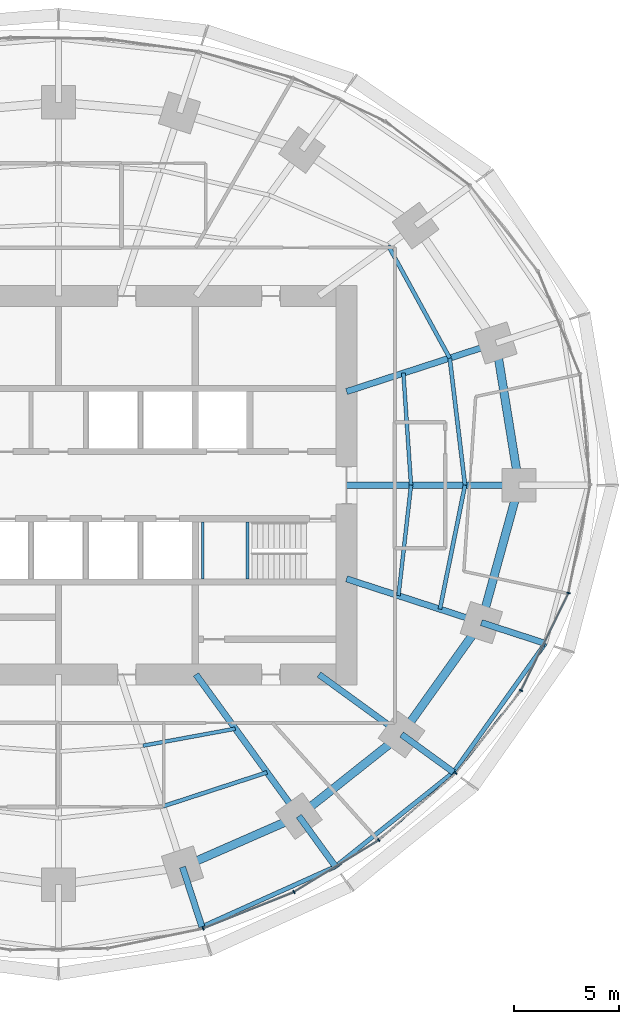
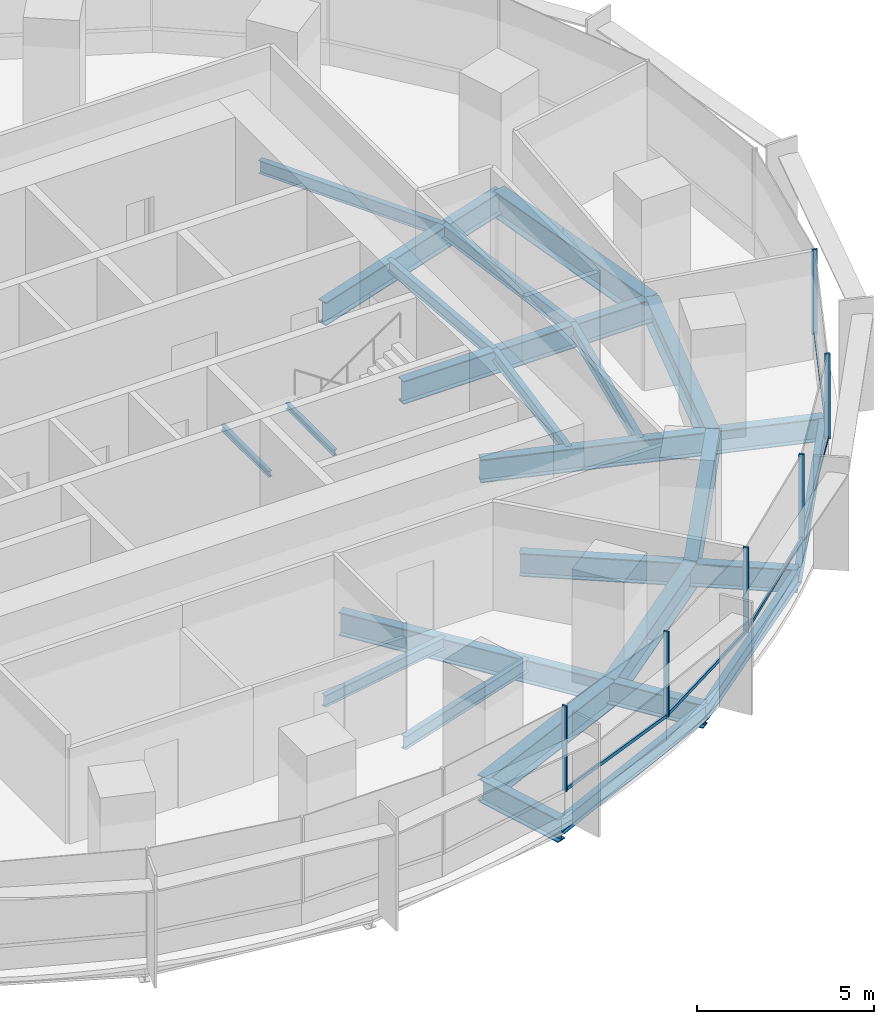
# One storey, part 5 of 14: 26 beams, 11 members, 2 elements without a shape of their own.
"""IFC4 building model written with IfcOpenShell, lengths in metres."""

from ifc_helpers import new_model, si_unit, direction, frame, origin, origin_2d, place, context, subcontext, project, spatial, rectangle, i_section, extrude, material, material_profile, profile_set, type_object, element, aggregate, save


model = new_model("IFC4")

# Units and contexts
model_context = context("Model", 3, precision=1e-05, world=origin(), true_north=direction((0.0, 1.0)))
body_context = subcontext(model_context, "Body", "Model", "MODEL_VIEW")
ifc_project = project(units=[si_unit("LENGTHUNIT", "METRE"), si_unit("AREAUNIT", "SQUARE_METRE"), si_unit("VOLUMEUNIT", "CUBIC_METRE"), si_unit("PLANEANGLEUNIT", "RADIAN"), si_unit("MASSUNIT", "GRAM", prefix="KILO")], contexts=[model_context])

# Site, building, storey
site_placement = place(None, origin())
site = spatial("IfcSite", under=ifc_project, at=site_placement, CompositionType="ELEMENT")
building_placement = place(site_placement, origin())
building = spatial("IfcBuilding", under=site, at=building_placement, Name="Marramba Exchange Tower", CompositionType="ELEMENT")
storey_placement = place(building_placement, frame((0.0, 0.0, 119.699951171875)))
storey = spatial("IfcBuildingStorey", under=building, at=storey_placement, Name="L28", CompositionType="ELEMENT", Elevation=119.699951171875)

# Beams
ifc_material_1 = material(Name="Steel AS/NZS 3679.2 grade 300", Category="steel")
ifc_material_profile_1 = material_profile(ifc_material_1, i_section(OverallWidth=0.300048828125, OverallDepth=0.800048828125, WebThickness=0.013916015625, FlangeThickness=0.031982421875, at=origin_2d()), Name="800WB192")
ifc_profile_set_1 = profile_set([ifc_material_profile_1], Name="Steel AS/NZS 3679.2 grade 300")
beam_type_1 = type_object("IfcBeamType", Name="Cantilever girder 800WB192", PredefinedType="BEAM", material=ifc_profile_set_1)
beam_1_placement = place(storey_placement, frame((5.899658203125, -18.156982421875, -0.56005859375), z_axis=(0.30903246226, -0.951051490336, 0.0), x_axis=(0.951051490336, 0.30903246226, 0.0)))
element("IfcBeam", 1, at=beam_1_placement, inside=storey, type_object=beam_type_1, Name="Cantilever girder L28 TC17", PredefinedType="BEAM", context=body_context, shape_type="SweptSolid", body=[
    extrude(i_section(OverallWidth=0.300048828125, OverallDepth=0.800048828125, WebThickness=0.013916015625, FlangeThickness=0.031982421875, at=origin_2d()), origin(), (0.0, 0.0, 1.0), 2.986328125),
])
beam_2_placement = place(storey_placement, frame((11.430419921875, -15.732666015625, -0.56005859375), z_axis=(0.587794986183, -0.8090099222, 0.0), x_axis=(0.8090099222, 0.587794986183, 0.0)))
element("IfcBeam", 2, at=beam_2_placement, inside=storey, type_object=beam_type_1, Name="Cantilever girder L28 TC18", PredefinedType="BEAM", context=body_context, shape_type="SweptSolid", body=[
    extrude(i_section(OverallWidth=0.300048828125, OverallDepth=0.800048828125, WebThickness=0.013916015625, FlangeThickness=0.031982421875, at=origin_2d()), origin(), (0.0, 0.0, 1.0), 2.9677734375),
])
beam_3_placement = place(storey_placement, frame((16.3154296875, -11.853759765625, -0.56005859375), z_axis=(0.809026231081, -0.587772538847, 0.0), x_axis=(0.587772538847, 0.809026231081, 0.0)))
element("IfcBeam", 3, at=beam_3_placement, inside=storey, type_object=beam_type_1, Name="Cantilever girder L28 TC19", PredefinedType="BEAM", context=body_context, shape_type="SweptSolid", body=[
    extrude(i_section(OverallWidth=0.300048828125, OverallDepth=0.800048828125, WebThickness=0.013916015625, FlangeThickness=0.031982421875, at=origin_2d()), origin(), (0.0, 0.0, 1.0), 3.055419921875),
])
beam_4_placement = place(storey_placement, frame((20.109375, -6.533935546875, -0.56005859375), z_axis=(0.951054839063, -0.309022156318, 0.0), x_axis=(0.309022156318, 0.951054839063, 0.0)))
element("IfcBeam", 4, at=beam_4_placement, inside=storey, type_object=beam_type_1, Name="Cantilever girder L28 TC20", PredefinedType="BEAM", context=body_context, shape_type="SweptSolid", body=[
    extrude(i_section(OverallWidth=0.300048828125, OverallDepth=0.800048828125, WebThickness=0.013916015625, FlangeThickness=0.031982421875, at=origin_2d()), origin(), (0.0, 0.0, 1.0), 3.19580078125),
])
ifc_material_2 = material(Name="Steel AS/NZS 3679.1 grade 300", Category="steel")
ifc_material_profile_2 = material_profile(ifc_material_2, i_section(OverallWidth=0.177978515625, OverallDepth=0.406005859375, WebThickness=0.0078125, FlangeThickness=0.0126953125, FilletRadius=0.011474609375, at=origin_2d()), Name="410UB59.7")
ifc_profile_set_2 = profile_set([ifc_material_profile_2], Name="Steel AS/NZS 3679.1 grade 300")
beam_type_2 = type_object("IfcBeamType", Name="Floor joist 410UB59.7", PredefinedType="JOIST", material=ifc_profile_set_2)
beam_5_placement = place(storey_placement, frame((16.7666015625, 0.0, -0.363037109375), z_axis=(-0.068096259546, 0.99767875563, 0.0), x_axis=(-0.99767875563, -0.068096259546, 0.0)))
element("IfcBeam", 5, at=beam_5_placement, inside=storey, type_object=beam_type_2, Name="Joist L28 bay 01 row 1", PredefinedType="JOIST", context=body_context, shape_type="SweptSolid", body=[
    extrude(i_section(OverallWidth=0.177978515625, OverallDepth=0.406005859375, WebThickness=0.0078125, FlangeThickness=0.0126953125, FilletRadius=0.011474609375, at=origin_2d()), origin(), (0.0, 0.0, 1.0), 5.342041015625),
])
beam_6_placement = place(storey_placement, frame((4.0244140625, -12.3857421875, -0.363037109375), z_axis=(0.983455754421, 0.181148500119, 0.0), x_axis=(-0.181148500119, 0.983455754421, 0.0)))
element("IfcBeam", 6, at=beam_6_placement, inside=storey, type_object=beam_type_2, Name="Joist L28 bay 17 row 1", PredefinedType="JOIST", context=body_context, shape_type="SweptSolid", body=[
    extrude(i_section(OverallWidth=0.177978515625, OverallDepth=0.406005859375, WebThickness=0.0078125, FlangeThickness=0.0126953125, FilletRadius=0.011474609375, at=origin_2d()), origin(), (0.0, 0.0, 1.0), 4.4609375),
])
beam_7_placement = place(storey_placement, frame((16.169677734375, -5.25390625, -0.363037109375), z_axis=(0.112888968594, 0.993607609054, 0.0), x_axis=(-0.993607609054, 0.112888968594, 0.0)))
element("IfcBeam", 7, at=beam_7_placement, inside=storey, type_object=beam_type_2, Name="Joist L28 bay 20 row 1", PredefinedType="JOIST", context=body_context, shape_type="SweptSolid", body=[
    extrude(i_section(OverallWidth=0.177978515625, OverallDepth=0.406005859375, WebThickness=0.0078125, FlangeThickness=0.0126953125, FilletRadius=0.011474609375, at=origin_2d()), origin(), (0.0, 0.0, 1.0), 5.28759765625),
])
ifc_material_profile_3 = material_profile(ifc_material_2, i_section(OverallWidth=0.18994140625, OverallDepth=0.4541015625, WebThickness=0.008544921875, FlangeThickness=0.0126953125, FilletRadius=0.011474609375, at=origin_2d()), Name="460UB67.1")
ifc_profile_set_3 = profile_set([ifc_material_profile_3], Name="Steel AS/NZS 3679.1 grade 300")
beam_type_3 = type_object("IfcBeamType", Name="Floor joist 460UB67.1", PredefinedType="JOIST", material=ifc_profile_set_3)
beam_8_placement = place(storey_placement, frame((19.333251953125, 0.0, -0.386962890625), z_axis=(-0.119523078538, 0.992831422597, 0.0), x_axis=(-0.992831422597, -0.119523078538, 0.0)))
element("IfcBeam", 8, at=beam_8_placement, inside=storey, type_object=beam_type_3, Name="Joist L28 bay 01 row 2", PredefinedType="JOIST", context=body_context, shape_type="SweptSolid", body=[
    extrude(i_section(OverallWidth=0.18994140625, OverallDepth=0.4541015625, WebThickness=0.008544921875, FlangeThickness=0.0126953125, FilletRadius=0.011474609375, at=origin_2d()), origin(), (0.0, 0.0, 1.0), 6.089111328125),
])
beam_9_placement = place(storey_placement, frame((18.60546875, 6.04541015625, -0.386962890625), z_axis=(-0.479584443791, 0.877495732909, 0.0), x_axis=(-0.877495732909, -0.479584443791, 0.0)))
element("IfcBeam", 9, at=beam_9_placement, inside=storey, type_object=beam_type_3, Name="Joist L28 bay 02 row 2", PredefinedType="JOIST", context=body_context, shape_type="SweptSolid", body=[
    extrude(i_section(OverallWidth=0.18994140625, OverallDepth=0.4541015625, WebThickness=0.008544921875, FlangeThickness=0.0126953125, FilletRadius=0.011474609375, at=origin_2d()), origin(), (0.0, 0.0, 1.0), 6.094970703125),
])
beam_10_placement = place(storey_placement, frame((4.9619140625, -15.271484375, -0.386962890625), z_axis=(0.950764024931, 0.309915744834, 0.0), x_axis=(-0.309915744834, 0.950764024931, 0.0)))
element("IfcBeam", 10, at=beam_10_placement, inside=storey, type_object=beam_type_3, Name="Joist L28 bay 17 row 2", PredefinedType="JOIST", context=body_context, shape_type="SweptSolid", body=[
    extrude(i_section(OverallWidth=0.18994140625, OverallDepth=0.4541015625, WebThickness=0.008544921875, FlangeThickness=0.0126953125, FilletRadius=0.011474609375, at=origin_2d()), origin(), (0.0, 0.0, 1.0), 5.2158203125),
])
beam_11_placement = place(storey_placement, frame((18.1396484375, -5.893798828125, -0.386962890625), z_axis=(0.198489047047, 0.980103105904, 0.0), x_axis=(-0.980103105904, 0.198489047047, 0.0)))
element("IfcBeam", 11, at=beam_11_placement, inside=storey, type_object=beam_type_3, Name="Joist L28 bay 20 row 2", PredefinedType="JOIST", context=body_context, shape_type="SweptSolid", body=[
    extrude(i_section(OverallWidth=0.18994140625, OverallDepth=0.4541015625, WebThickness=0.008544921875, FlangeThickness=0.0126953125, FilletRadius=0.011474609375, at=origin_2d()), origin(), (0.0, 0.0, 1.0), 6.013427734375),
])

# Curtain wall, member
ifc_material_3 = material(Name="Aluminium framing, bronze anodised", Category="aluminium")
curtain_wall_type = type_object("IfcCurtainWallType", Name="Office ribbon curtain wall", PredefinedType="USERDEFINED", material=ifc_material_3)
curtain_wall_1_placement = place(storey_placement, origin())
curtain_wall_1 = element("IfcCurtainWall", 12, at=curtain_wall_1_placement, inside=storey, type_object=curtain_wall_type, Name="Curtain wall CW4 L28 F21-F25", ObjectType="RIBBON CURTAIN WALL", PredefinedType="USERDEFINED")
ifc_material_4 = material(Name="Aluminium mullion, bronze anodised", Category="aluminium")
ifc_material_profile_4 = material_profile(ifc_material_4, rectangle(XDim=0.159912109375, YDim=0.06005859375, at=origin_2d()), Name="CW4 mullion 60x160")
ifc_profile_set_4 = profile_set([ifc_material_profile_4], Name="Aluminium mullion, bronze anodised")
member_type_1 = type_object("IfcMemberType", Name="Office ribbon curtain wall mullion", PredefinedType="MULLION", material=ifc_profile_set_4)
member_1_placement = place(storey_placement, frame((6.881103515625, -21.0810546875, 0.800048828125), z_axis=(0.0, 0.0, 1.0), x_axis=(-0.372209067082, 0.928148916059, 0.0)))
member_1 = element("IfcMember", 13, at=member_1_placement, type_object=member_type_1, Name="CW4 mullion 1", PredefinedType="MULLION", context=body_context, shape_type="SweptSolid", body=[
    extrude(rectangle(XDim=0.159912109375, YDim=0.06005859375, at=origin_2d()), origin(), (0.0, 0.0, 1.0), 2.93994140625),
])

# Curtain wall, members
curtain_wall_2_placement = place(storey_placement, origin())
curtain_wall_2 = element("IfcCurtainWall", 14, at=curtain_wall_2_placement, inside=storey, type_object=curtain_wall_type, Name="Curtain wall CW4 L28 F26-F30", ObjectType="RIBBON CURTAIN WALL", PredefinedType="USERDEFINED")
member_2_placement = place(storey_placement, frame((11.2021484375, -19.3427734375, 0.800048828125), z_axis=(0.0, 0.0, 1.0), x_axis=(-0.521732535664, 0.853109114492, 0.0)))
member_2 = element("IfcMember", 15, at=member_2_placement, type_object=member_type_1, Name="CW4 mullion 1", PredefinedType="MULLION", context=body_context, shape_type="SweptSolid", body=[
    extrude(rectangle(XDim=0.159912109375, YDim=0.06005859375, at=origin_2d()), origin(), (0.0, 0.0, 1.0), 2.93994140625),
])
member_3_placement = place(storey_placement, frame((15.232177734375, -16.872314453125, 0.800048828125), z_axis=(0.0, 0.0, 1.0), x_axis=(-0.656431647438, 0.754385506384, 0.0)))
member_3 = element("IfcMember", 16, at=member_3_placement, type_object=member_type_1, Name="CW4 mullion 1", PredefinedType="MULLION", context=body_context, shape_type="SweptSolid", body=[
    extrude(rectangle(XDim=0.159912109375, YDim=0.06005859375, at=origin_2d()), origin(), (0.0, 0.0, 1.0), 2.93994140625),
])
member_4_placement = place(storey_placement, frame((18.886962890625, -13.68505859375, 0.800048828125), z_axis=(0.0, 0.0, 1.0), x_axis=(-0.783170139469, 0.621807472329, 0.0)))
member_4 = element("IfcMember", 17, at=member_4_placement, type_object=member_type_1, Name="CW4 mullion 1", PredefinedType="MULLION", context=body_context, shape_type="SweptSolid", body=[
    extrude(rectangle(XDim=0.159912109375, YDim=0.06005859375, at=origin_2d()), origin(), (0.0, 0.0, 1.0), 2.93994140625),
])
member_5_placement = place(storey_placement, frame((21.994873046875, -9.760009765625, 0.800048828125), z_axis=(0.0, 0.0, 1.0), x_axis=(-0.89844486976, 0.439086342308, 0.0)))
member_5 = element("IfcMember", 18, at=member_5_placement, type_object=member_type_1, Name="CW4 mullion 1", PredefinedType="MULLION", context=body_context, shape_type="SweptSolid", body=[
    extrude(rectangle(XDim=0.159912109375, YDim=0.06005859375, at=origin_2d()), origin(), (0.0, 0.0, 1.0), 2.93994140625),
])
member_6_placement = place(storey_placement, frame((24.252197265625, -5.124267578125, 0.800048828125), z_axis=(0.0, 0.0, 1.0), x_axis=(-0.980393739376, 0.197048511267, 0.0)))
member_6 = element("IfcMember", 19, at=member_6_placement, type_object=member_type_1, Name="CW4 mullion 1", PredefinedType="MULLION", context=body_context, shape_type="SweptSolid", body=[
    extrude(rectangle(XDim=0.159912109375, YDim=0.06005859375, at=origin_2d()), origin(), (0.0, 0.0, 1.0), 2.93994140625),
])

# Member
ifc_material_5 = material(Name="Aluminium transom, bronze anodised", Category="aluminium")
ifc_material_profile_5 = material_profile(ifc_material_5, rectangle(XDim=0.06005859375, YDim=0.1201171875, at=origin_2d()), Name="CW4 transom 60x120")
ifc_profile_set_5 = profile_set([ifc_material_profile_5], Name="Aluminium transom, bronze anodised")
member_type_2 = type_object("IfcMemberType", Name="Office ribbon curtain wall transom", PredefinedType="USERDEFINED", material=ifc_profile_set_5)
member_7_placement = place(storey_placement, frame((6.908935546875, -21.06982421875, 0.830078125), z_axis=(0.928146753748, 0.372214459026, 0.0), x_axis=(-0.372214459026, 0.928146753748, 0.0)))
member_7 = element("IfcMember", 20, at=member_7_placement, type_object=member_type_2, Name="CW4 sill transom", ObjectType="TRANSOM", PredefinedType="USERDEFINED", context=body_context, shape_type="SweptSolid", body=[
    extrude(rectangle(XDim=0.06005859375, YDim=0.1201171875, at=origin_2d()), origin(), (0.0, 0.0, 1.0), 4.597900390625),
])

aggregate(curtain_wall_1, [member_1, member_7])

member_8_placement = place(storey_placement, frame((11.227783203125, -19.3271484375, 0.830078125), z_axis=(0.853124051379, 0.52170811088, 0.0), x_axis=(-0.52170811088, 0.853124051379, 0.0)))
member_8 = element("IfcMember", 21, at=member_8_placement, type_object=member_type_2, Name="CW4 sill transom", ObjectType="TRANSOM", PredefinedType="USERDEFINED", context=body_context, shape_type="SweptSolid", body=[
    extrude(rectangle(XDim=0.06005859375, YDim=0.1201171875, at=origin_2d()), origin(), (0.0, 0.0, 1.0), 4.66748046875),
])

member_9_placement = place(storey_placement, frame((15.2548828125, -16.8525390625, 0.830078125), z_axis=(0.754392594189, 0.65642350189, 0.0), x_axis=(-0.65642350189, 0.754392594189, 0.0)))
member_9 = element("IfcMember", 22, at=member_9_placement, type_object=member_type_2, Name="CW4 sill transom", ObjectType="TRANSOM", PredefinedType="USERDEFINED", context=body_context, shape_type="SweptSolid", body=[
    extrude(rectangle(XDim=0.06005859375, YDim=0.1201171875, at=origin_2d()), origin(), (0.0, 0.0, 1.0), 4.78955078125),
])

member_10_placement = place(storey_placement, frame((18.905517578125, -13.66162109375, 0.830078125), z_axis=(0.621777997945, 0.783193540111, 0.0), x_axis=(-0.783193540111, 0.621777997945, 0.0)))
member_10 = element("IfcMember", 23, at=member_10_placement, type_object=member_type_2, Name="CW4 sill transom", ObjectType="TRANSOM", PredefinedType="USERDEFINED", context=body_context, shape_type="SweptSolid", body=[
    extrude(rectangle(XDim=0.06005859375, YDim=0.1201171875, at=origin_2d()), origin(), (0.0, 0.0, 1.0), 4.947265625),
])

member_11_placement = place(storey_placement, frame((22.008056640625, -9.73291015625, 0.830078125), z_axis=(0.439090714557, 0.898442732949, 0.0), x_axis=(-0.898442732949, 0.439090714557, 0.0)))
member_11 = element("IfcMember", 24, at=member_11_placement, type_object=member_type_2, Name="CW4 sill transom", ObjectType="TRANSOM", PredefinedType="USERDEFINED", context=body_context, shape_type="SweptSolid", body=[
    extrude(rectangle(XDim=0.06005859375, YDim=0.1201171875, at=origin_2d()), origin(), (0.0, 0.0, 1.0), 5.096923828125),
])

aggregate(curtain_wall_2, [member_2, member_8, member_3, member_9, member_4, member_10, member_5, member_11, member_6])

# Beams
ifc_material_profile_6 = material_profile(ifc_material_1, i_section(OverallWidth=0.300048828125, OverallDepth=0.800048828125, WebThickness=0.013916015625, FlangeThickness=0.031982421875, at=origin_2d()), Name="800WB192")
ifc_profile_set_6 = profile_set([ifc_material_profile_6], Name="Steel AS/NZS 3679.2 grade 300")
beam_type_4 = type_object("IfcBeamType", Name="Radial girder 800WB192", PredefinedType="BEAM", material=ifc_profile_set_6)
beam_12_placement = place(storey_placement, frame((13.699951171875, 0.0, -0.56005859375), z_axis=(1.0, 0.0, 0.0), x_axis=(0.0, 1.0, 0.0)))
element("IfcBeam", 25, at=beam_12_placement, inside=storey, type_object=beam_type_4, Name="Radial girder L28 TC01", PredefinedType="BEAM", context=body_context, shape_type="SweptSolid", body=[
    extrude(i_section(OverallWidth=0.300048828125, OverallDepth=0.800048828125, WebThickness=0.013916015625, FlangeThickness=0.031982421875, at=origin_2d()), origin(), (0.0, 0.0, 1.0), 8.199951171875),
])
beam_13_placement = place(storey_placement, frame((13.699951171875, 4.451416015625, -0.56005859375), z_axis=(0.951059990189, 0.309006302624, 0.0), x_axis=(-0.309006302624, 0.951059990189, 0.0)))
element("IfcBeam", 26, at=beam_13_placement, inside=storey, type_object=beam_type_4, Name="Radial girder L28 TC02", PredefinedType="BEAM", context=body_context, shape_type="SweptSolid", body=[
    extrude(i_section(OverallWidth=0.300048828125, OverallDepth=0.800048828125, WebThickness=0.013916015625, FlangeThickness=0.031982421875, at=origin_2d()), origin(), (0.0, 0.0, 1.0), 7.47412109375),
])
beam_14_placement = place(storey_placement, frame((6.538818359375, -9.0, -0.56005859375), z_axis=(0.587787877172, -0.809015087282, 0.0), x_axis=(0.809015087282, 0.587787877172, 0.0)))
element("IfcBeam", 27, at=beam_14_placement, inside=storey, type_object=beam_type_4, Name="Radial girder L28 TC18", PredefinedType="BEAM", context=body_context, shape_type="SweptSolid", body=[
    extrude(i_section(OverallWidth=0.300048828125, OverallDepth=0.800048828125, WebThickness=0.013916015625, FlangeThickness=0.031982421875, at=origin_2d()), origin(), (0.0, 0.0, 1.0), 8.322021484375),
])
beam_15_placement = place(storey_placement, frame((12.387451171875, -9.0, -0.56005859375), z_axis=(0.809025189606, -0.58777397236, 0.0), x_axis=(0.58777397236, 0.809025189606, 0.0)))
element("IfcBeam", 28, at=beam_15_placement, inside=storey, type_object=beam_type_4, Name="Radial girder L28 TC19", PredefinedType="BEAM", context=body_context, shape_type="SweptSolid", body=[
    extrude(i_section(OverallWidth=0.300048828125, OverallDepth=0.800048828125, WebThickness=0.013916015625, FlangeThickness=0.031982421875, at=origin_2d()), origin(), (0.0, 0.0, 1.0), 4.855224609375),
])
beam_16_placement = place(storey_placement, frame((13.699951171875, -4.451416015625, -0.56005859375), z_axis=(0.951057759669, -0.309013167637, 0.0), x_axis=(0.309013167637, 0.951057759669, 0.0)))
element("IfcBeam", 29, at=beam_16_placement, inside=storey, type_object=beam_type_4, Name="Radial girder L28 TC20", PredefinedType="BEAM", context=body_context, shape_type="SweptSolid", body=[
    extrude(i_section(OverallWidth=0.300048828125, OverallDepth=0.800048828125, WebThickness=0.013916015625, FlangeThickness=0.031982421875, at=origin_2d()), origin(), (0.0, 0.0, 1.0), 6.7392578125),
])
ifc_material_profile_7 = material_profile(ifc_material_1, i_section(OverallWidth=0.39990234375, OverallDepth=0.89990234375, WebThickness=0.01611328125, FlangeThickness=0.031982421875, at=origin_2d()), Name="900WB282")
ifc_profile_set_7 = profile_set([ifc_material_profile_7], Name="Steel AS/NZS 3679.2 grade 300")
beam_type_5 = type_object("IfcBeamType", Name="Ring beam 900WB282", PredefinedType="SPANDREL", material=ifc_profile_set_7)
beam_17_placement = place(storey_placement, frame((21.89990234375, 0.0, -0.60986328125), z_axis=(-0.159384865399, 0.987216523708, 0.0), x_axis=(-0.987216523708, -0.159384865399, 0.0)))
element("IfcBeam", 30, at=beam_17_placement, inside=storey, type_object=beam_type_5, Name="Ring beam L28 TC01-TC02", PredefinedType="SPANDREL", context=body_context, shape_type="SweptSolid", body=[
    extrude(i_section(OverallWidth=0.39990234375, OverallDepth=0.89990234375, WebThickness=0.01611328125, FlangeThickness=0.031982421875, at=origin_2d()), origin(), (0.0, 0.0, 1.0), 6.8486328125),
])
beam_18_placement = place(storey_placement, frame((5.899658203125, -18.156982421875, -0.60986328125), z_axis=(0.915876892158, 0.4014592363, 0.0), x_axis=(-0.4014592363, 0.915876892158, 0.0)))
element("IfcBeam", 31, at=beam_18_placement, inside=storey, type_object=beam_type_5, Name="Ring beam L28 TC17-TC18", PredefinedType="SPANDREL", context=body_context, shape_type="SweptSolid", body=[
    extrude(i_section(OverallWidth=0.39990234375, OverallDepth=0.89990234375, WebThickness=0.01611328125, FlangeThickness=0.031982421875, at=origin_2d()), origin(), (0.0, 0.0, 1.0), 6.038818359375),
])
beam_19_placement = place(storey_placement, frame((11.430419921875, -15.732666015625, -0.60986328125), z_axis=(0.783139438128, 0.621846138887, 0.0), x_axis=(-0.621846138887, 0.783139438128, 0.0)))
element("IfcBeam", 32, at=beam_19_placement, inside=storey, type_object=beam_type_5, Name="Ring beam L28 TC18-TC19", PredefinedType="SPANDREL", context=body_context, shape_type="SweptSolid", body=[
    extrude(i_section(OverallWidth=0.39990234375, OverallDepth=0.89990234375, WebThickness=0.01611328125, FlangeThickness=0.031982421875, at=origin_2d()), origin(), (0.0, 0.0, 1.0), 6.23779296875),
])
beam_20_placement = place(storey_placement, frame((16.3154296875, -11.853759765625, -0.60986328125), z_axis=(0.580637181111, 0.814162430914, 0.0), x_axis=(-0.814162430914, 0.580637181111, 0.0)))
element("IfcBeam", 33, at=beam_20_placement, inside=storey, type_object=beam_type_5, Name="Ring beam L28 TC19-TC20", PredefinedType="SPANDREL", context=body_context, shape_type="SweptSolid", body=[
    extrude(i_section(OverallWidth=0.39990234375, OverallDepth=0.89990234375, WebThickness=0.01611328125, FlangeThickness=0.031982421875, at=origin_2d()), origin(), (0.0, 0.0, 1.0), 6.5341796875),
])
beam_21_placement = place(storey_placement, frame((20.109375, -6.533935546875, -0.60986328125), z_axis=(0.264291166956, 0.964442937176, 0.0), x_axis=(-0.964442937176, 0.264291166956, 0.0)))
element("IfcBeam", 34, at=beam_21_placement, inside=storey, type_object=beam_type_5, Name="Ring beam L28 TC20-TC01", PredefinedType="SPANDREL", context=body_context, shape_type="SweptSolid", body=[
    extrude(i_section(OverallWidth=0.39990234375, OverallDepth=0.89990234375, WebThickness=0.01611328125, FlangeThickness=0.031982421875, at=origin_2d()), origin(), (0.0, 0.0, 1.0), 6.77490234375),
])
ifc_material_profile_8 = material_profile(ifc_material_2, i_section(OverallWidth=0.208984375, OverallDepth=0.528076171875, WebThickness=0.009521484375, FlangeThickness=0.01318359375, FilletRadius=0.013916015625, at=origin_2d()), Name="530UB82.0")
ifc_profile_set_8 = profile_set([ifc_material_profile_8], Name="Steel AS/NZS 3679.1 grade 300")
beam_type_6 = type_object("IfcBeamType", Name="Slab edge beam 530UB82.0", PredefinedType="SPANDREL", material=ifc_profile_set_8)
beam_22_placement = place(storey_placement, frame((6.822509765625, -20.9970703125, -0.424072265625), z_axis=(0.911653171624, 0.410960453898, 0.0), x_axis=(-0.410960453898, 0.911653171624, 0.0)))
element("IfcBeam", 35, at=beam_22_placement, inside=storey, type_object=beam_type_6, Name="Slab edge beam L28 TC17-TC18", PredefinedType="SPANDREL", context=body_context, shape_type="SweptSolid", body=[
    extrude(i_section(OverallWidth=0.208984375, OverallDepth=0.528076171875, WebThickness=0.009521484375, FlangeThickness=0.01318359375, FilletRadius=0.013916015625, at=origin_2d()), origin(), (0.0, 0.0, 1.0), 6.9677734375),
])
beam_23_placement = place(storey_placement, frame((13.1748046875, -18.133544921875, -0.424072265625), z_axis=(0.781286404457, 0.624172695822, 0.0), x_axis=(-0.624172695822, 0.781286404457, 0.0)))
element("IfcBeam", 36, at=beam_23_placement, inside=storey, type_object=beam_type_6, Name="Slab edge beam L28 TC18-TC19", PredefinedType="SPANDREL", context=body_context, shape_type="SweptSolid", body=[
    extrude(i_section(OverallWidth=0.208984375, OverallDepth=0.528076171875, WebThickness=0.009521484375, FlangeThickness=0.01318359375, FilletRadius=0.013916015625, at=origin_2d()), origin(), (0.0, 0.0, 1.0), 7.183837890625),
])
beam_24_placement = place(storey_placement, frame((18.787353515625, -13.649658203125, -0.424072265625), z_axis=(0.579834168245, 0.814734519543, 0.0), x_axis=(-0.814734519543, 0.579834168245, 0.0)))
element("IfcBeam", 37, at=beam_24_placement, inside=storey, type_object=beam_type_6, Name="Slab edge beam L28 TC19-TC20", PredefinedType="SPANDREL", context=body_context, shape_type="SweptSolid", body=[
    extrude(i_section(OverallWidth=0.208984375, OverallDepth=0.528076171875, WebThickness=0.009521484375, FlangeThickness=0.01318359375, FilletRadius=0.013916015625, at=origin_2d()), origin(), (0.0, 0.0, 1.0), 7.521728515625),
])
ifc_material_profile_9 = material_profile(ifc_material_2, i_section(OverallWidth=0.133056640625, OverallDepth=0.202880859375, WebThickness=0.005859375, FlangeThickness=0.0078125, FilletRadius=0.0087890625, at=origin_2d()), Name="200UB25.4")
ifc_profile_set_9 = profile_set([ifc_material_profile_9], Name="Steel AS/NZS 3679.1 grade 300")
beam_type_7 = type_object("IfcBeamType", Name="Stair landing beam 200UB25.4", PredefinedType="BEAM", material=ifc_profile_set_9)
for number, where, z_axis, x_axis, name in (
    (38, (6.866455078125, -4.449951171875, 1.6484375), (0.0, 1.0, 0.0), (-1.0, 0.0, 0.0), "Stair landing beam SLB1 ST2 L28 1"),
    (39, (8.9833984375, -4.449951171875, 1.6484375), (0.0, 1.0, 0.0), (-1.0, 0.0, 0.0), "Stair landing beam SLB1 ST2 L28 2"),
):
    element("IfcBeam", number, at=place(storey_placement, frame(where, z_axis=z_axis, x_axis=x_axis)), inside=storey, type_object=beam_type_7, Name=name, PredefinedType="BEAM", context=body_context, shape_type="SweptSolid", body=[
        extrude(i_section(OverallWidth=0.133056640625, OverallDepth=0.202880859375, WebThickness=0.005859375, FlangeThickness=0.0078125, FilletRadius=0.0087890625, at=origin_2d()), origin(), (0.0, 0.0, 1.0), 2.699951171875),
    ])

save(model, "model.ifc")
